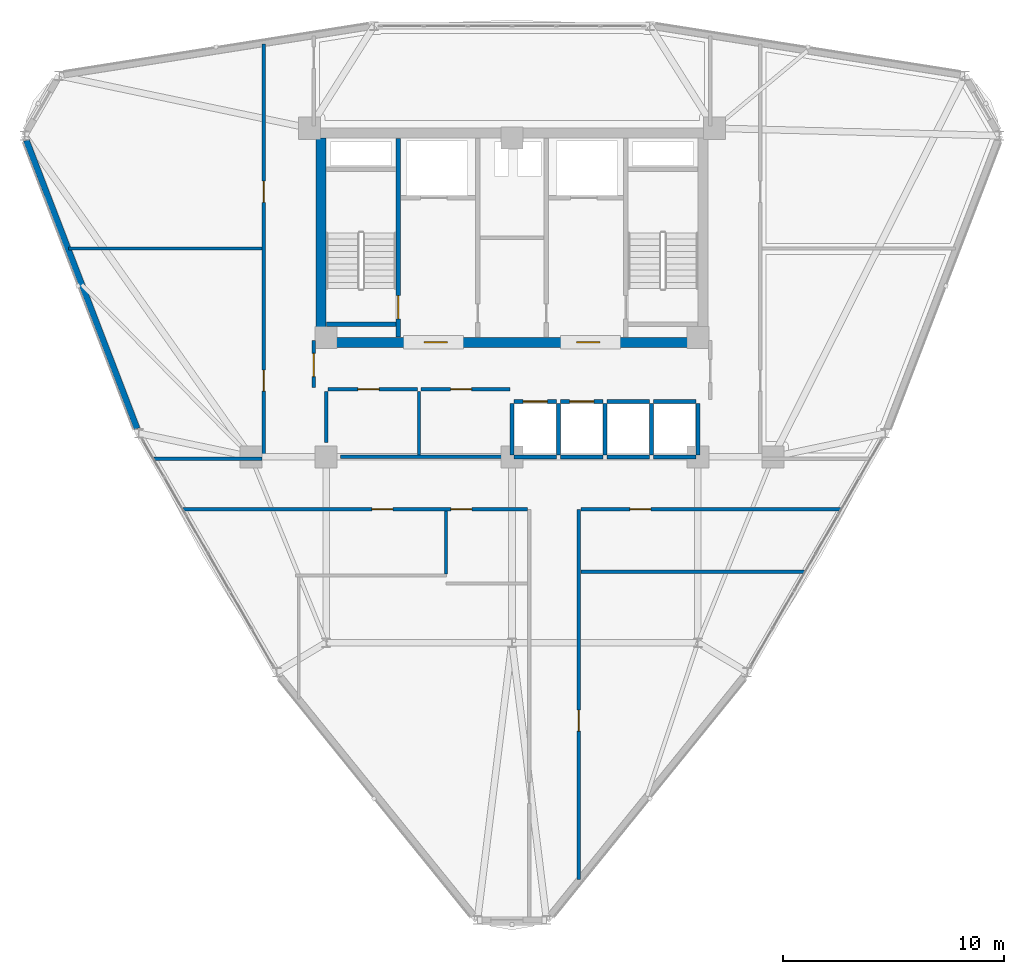
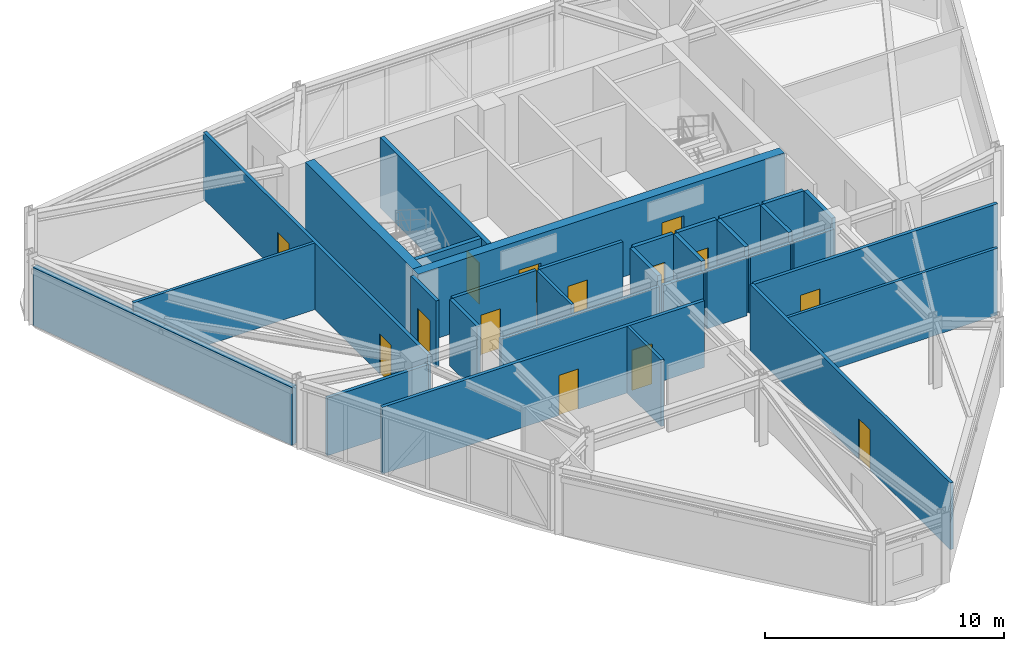
# One storey, part 10 of 14: 32 walls, 14 doors, 14 openings.
"""IFC4 building model written with IfcOpenShell, lengths in metres."""

from ifc_helpers import new_model, si_unit, derived_unit, direction, frame, frame_2d, origin, place, context, subcontext, project, spatial, rectangle, extrude, material, layer, layer_set, type_object, element, fill, save


model = new_model("IFC4")

# Units and contexts
model_context = context("Model", 3, precision=1e-05, world=origin(), true_north=direction((0.0, 1.0)))
body_context = subcontext(model_context, "Body", "Model", "MODEL_VIEW")
ifc_project = project(units=[si_unit("LENGTHUNIT", "METRE"), si_unit("AREAUNIT", "SQUARE_METRE"), si_unit("VOLUMEUNIT", "CUBIC_METRE"), si_unit("PLANEANGLEUNIT", "RADIAN"), si_unit("MASSUNIT", "GRAM", prefix="KILO"), derived_unit("THERMALTRANSMITTANCEUNIT", [(si_unit("POWERUNIT", "WATT"), 1), (si_unit("LENGTHUNIT", "METRE"), -2), (si_unit("THERMODYNAMICTEMPERATUREUNIT", "KELVIN"), -1)])], contexts=[model_context])

# Site, building, storey
site_placement = place(None, origin())
site = spatial("IfcSite", under=ifc_project, at=site_placement, CompositionType="ELEMENT")
building_placement = place(site_placement, origin())
building = spatial("IfcBuilding", under=site, at=building_placement, Name="Korsvarv Bourse and Concert Hall", CompositionType="ELEMENT")
storey_placement = place(building_placement, frame((0.0, 0.0, 190.199951171875)))
storey = spatial("IfcBuildingStorey", under=building, at=storey_placement, Name="L49", CompositionType="ELEMENT", Elevation=190.199951171875)

# Wall, opening, door
ifc_material_1 = material(Name="Concrete C50/60", Category="concrete")
ifc_layer_1 = layer(ifc_material_1, 0.3798828125)
ifc_layer_set_1 = layer_set([ifc_layer_1], Name="Concrete C50/60")
wall_type_1 = type_object("IfcWallType", Name="WL-CORE-380", PredefinedType="SHEAR", material=ifc_layer_set_1)
wall_1_placement = place(storey_placement, frame((30.860107421875, 37.81005859375, 0.0), z_axis=(0.0, 0.0, 1.0), x_axis=(0.0, 1.0, 0.0)))
wall_1 = element("IfcWall", 1, at=wall_1_placement, inside=storey, type_object=wall_type_1, Name="L49 stair shaft structural wall W-L49-ST1-E", PredefinedType="SHEAR", context=body_context, shape_type="SweptSolid", body=[
    extrude(rectangle(XDim=8.97998046875, YDim=0.199951171875, at=frame_2d((4.489990234375, 0.0))), origin(), (0.0, 0.0, 1.0), 3.60009765625),
])
opening_1_placement = place(wall_1_placement, frame((0.820068359375, 0.0, 0.0)))
opening_1 = element("IfcOpeningElement", 2, at=opening_1_placement, cuts=wall_1, Name="Opening D-01", PredefinedType="OPENING", context=body_context, shape_type="SweptSolid", body=[
    extrude(rectangle(XDim=1.050048828125, YDim=2.10009765625, at=frame_2d((0.52490234375, 1.050048828125))), frame((0.0, 0.10986328125, 0.0), z_axis=(0.0, -1.0, 0.0), x_axis=(1.0, 0.0, 0.0)), (0.0, 0.0, 1.0), 0.219970703125),
])
ifc_material_2 = material(Name="Steel S355 fire door", Category="steel")
door_type_1 = type_object("IfcDoorType", Name="DR-FD60", OperationType="NOTDEFINED", PredefinedType="DOOR", material=ifc_material_2)
door_1_placement = place(opening_1_placement, origin())
door_1 = element("IfcDoor", 3, at=door_1_placement, inside=storey, type_object=door_type_1, Name="L49 interior door DR-L49-ST1", OperationType="SINGLE_SWING_LEFT", OverallHeight=2.10009765625, OverallWidth=1.050048828125, PredefinedType="DOOR", context=body_context, shape_type="SweptSolid", body=[
    extrude(rectangle(XDim=1.050048828125, YDim=2.10009765625, at=frame_2d((0.52490234375, 1.050048828125))), frame((0.0, 0.02490234375, 0.0), z_axis=(0.0, -1.0, 0.0), x_axis=(1.0, 0.0, 0.0)), (0.0, 0.0, 1.0), 0.050048828125),
])
fill(opening_1, door_1)

# Wall
wall_2_placement = place(storey_placement, frame((27.610107421875, 38.39990234375, 0.0), z_axis=(0.0, 0.0, 1.0), x_axis=(1.0, 0.0, 0.0)))
element("IfcWall", 4, at=wall_2_placement, inside=storey, type_object=wall_type_1, Name="L49 stair shaft structural wall W-L49-ST1-S", PredefinedType="SHEAR", context=body_context, shape_type="SweptSolid", body=[
    extrude(rectangle(XDim=3.139892578125, YDim=0.199951171875, at=frame_2d((1.56982421875, 0.0))), origin(), (0.0, 0.0, 1.0), 3.60009765625),
])

# Wall, openings, doors
ifc_material_3 = material(Name="Concrete C55/67", Category="concrete")
ifc_layer_2 = layer(ifc_material_3, 0.449951171875)
ifc_layer_set_2 = layer_set([ifc_layer_2], Name="Concrete C55/67")
wall_type_2 = type_object("IfcWallType", Name="WL-CORE-450", PredefinedType="SHEAR", material=ifc_layer_set_2)
wall_3_placement = place(storey_placement, frame((27.14990234375, 37.574951171875, 0.0), z_axis=(0.0, 0.0, 1.0), x_axis=(1.0, 0.0, 0.0)))
wall_3 = element("IfcWall", 5, at=wall_3_placement, inside=storey, type_object=wall_type_2, Name="L49 South Core Shear Wall", PredefinedType="SHEAR", context=body_context, shape_type="SweptSolid", body=[
    extrude(rectangle(XDim=17.7001953125, YDim=0.449951171875, at=frame_2d((8.85009765625, 0.0))), origin(), (0.0, 0.0, 1.0), 3.60009765625),
])
opening_2_placement = place(wall_3_placement, frame((4.875, 0.0, 0.0)))
opening_2 = element("IfcOpeningElement", 6, at=opening_2_placement, cuts=wall_3, Name="Opening D-01", PredefinedType="OPENING", context=body_context, shape_type="SweptSolid", body=[
    extrude(rectangle(XDim=1.050048828125, YDim=2.10009765625, at=frame_2d((0.52490234375, 1.050048828125))), frame((0.0, 0.23486328125, 0.0), z_axis=(0.0, -1.0, 0.0), x_axis=(1.0, 0.0, 0.0)), (0.0, 0.0, 1.0), 0.469970703125),
])
opening_3_placement = place(wall_3_placement, frame((11.77490234375, 0.0, 0.0)))
opening_3 = element("IfcOpeningElement", 7, at=opening_3_placement, cuts=wall_3, Name="Opening D-01", PredefinedType="OPENING", context=body_context, shape_type="SweptSolid", body=[
    extrude(rectangle(XDim=1.050048828125, YDim=2.10009765625, at=frame_2d((0.52490234375, 1.050048828125))), frame((0.0, 0.23486328125, 0.0), z_axis=(0.0, -1.0, 0.0), x_axis=(1.0, 0.0, 0.0)), (0.0, 0.0, 1.0), 0.469970703125),
])
door_2_placement = place(opening_2_placement, frame((1.050048828125, 0.0, 0.0), z_axis=(0.0, 0.0, 1.0), x_axis=(-1.0, 0.0, 0.0)))
door_2 = element("IfcDoor", 8, at=door_2_placement, inside=storey, type_object=door_type_1, Name="L49 firefighting lobby fire door DR-L49-FFLW", OperationType="SINGLE_SWING_LEFT", OverallHeight=2.10009765625, OverallWidth=1.050048828125, PredefinedType="DOOR", context=body_context, shape_type="SweptSolid", body=[
    extrude(rectangle(XDim=1.050048828125, YDim=2.10009765625, at=frame_2d((0.52490234375, 1.050048828125))), frame((0.0, 0.02490234375, 0.0), z_axis=(0.0, -1.0, 0.0), x_axis=(1.0, 0.0, 0.0)), (0.0, 0.0, 1.0), 0.050048828125),
])
fill(opening_2, door_2)
door_3_placement = place(opening_3_placement, frame((1.050048828125, 0.0, 0.0), z_axis=(0.0, 0.0, 1.0), x_axis=(-1.0, 0.0, 0.0)))
door_3 = element("IfcDoor", 9, at=door_3_placement, inside=storey, type_object=door_type_1, Name="L49 firefighting lobby fire door DR-L49-FFLE", OperationType="SINGLE_SWING_RIGHT", OverallHeight=2.10009765625, OverallWidth=1.050048828125, PredefinedType="DOOR", context=body_context, shape_type="SweptSolid", body=[
    extrude(rectangle(XDim=1.050048828125, YDim=2.10009765625, at=frame_2d((0.52490234375, 1.050048828125))), frame((0.0, 0.02490234375, 0.0), z_axis=(0.0, -1.0, 0.0), x_axis=(1.0, 0.0, 0.0)), (0.0, 0.0, 1.0), 0.050048828125),
])
fill(opening_3, door_3)

# Walls
wall_4_placement = place(storey_placement, frame((27.375, 37.800048828125, 0.0), z_axis=(0.0, 0.0, 1.0), x_axis=(0.0, 1.0, 0.0)))
element("IfcWall", 10, at=wall_4_placement, inside=storey, type_object=wall_type_2, Name="L49 West Core Shear Wall", PredefinedType="SHEAR", context=body_context, shape_type="SweptSolid", body=[
    extrude(rectangle(XDim=9.0, YDim=0.449951171875, at=frame_2d((4.5, 0.0))), origin(), (0.0, 0.0, 1.0), 3.60009765625),
])
ifc_material_4 = material(Name="Precast concrete C45/55 with fluted terracotta pier", Category="concrete")
ifc_layer_3 = layer(ifc_material_4, 0.280029296875)
ifc_layer_set_3 = layer_set([ifc_layer_3], Name="Precast concrete C45/55 with fluted terracotta pier")
wall_type_3 = type_object("IfcWallType", Name="WL-EXT-TC2", PredefinedType="SOLIDWALL", material=ifc_layer_set_3)
wall_5_placement = place(storey_placement, frame((14.051513671875, 46.699462890625, 0.0), z_axis=(0.0, 0.0, 1.0), x_axis=(0.358703519473, -0.933451544065, 0.0)))
element("IfcWall", 11, at=wall_5_placement, inside=storey, type_object=wall_type_3, Name="L49 terracotta exterior wall EW-L49-B06", PredefinedType="SOLIDWALL", context=body_context, shape_type="SweptSolid", body=[
    extrude(rectangle(XDim=13.95263671875, YDim=0.280029296875, at=frame_2d((6.976318359375, 0.0))), origin(), (0.0, 0.0, 1.0), 2.949951171875),
])
ifc_material_5 = material(Name="Double-stud fire-rated acoustic partition", Category="gypsum")
ifc_layer_4 = layer(ifc_material_5, 0.159912109375)
ifc_layer_set_4 = layer_set([ifc_layer_4], Name="Double-stud fire-rated acoustic partition")
wall_type_4 = type_object("IfcWallType", Name="WL-INT-EI60", PredefinedType="PARTITIONING", material=ifc_layer_set_4)
wall_6_placement = place(storey_placement, frame((28.25, 32.39990234375, 0.0), z_axis=(0.0, 0.0, 1.0), x_axis=(1.0, 0.0, 0.0)))
element("IfcWall", 12, at=wall_6_placement, inside=storey, type_object=wall_type_4, Name="L49 interior partition wall W-L49-FRD-S", PredefinedType="PARTITIONING", context=body_context, shape_type="SweptSolid", body=[
    extrude(rectangle(XDim=7.64990234375, YDim=0.159912109375, at=frame_2d((3.824951171875, 0.0))), origin(), (0.0, 0.0, 1.0), 2.949951171875),
])
wall_7_placement = place(storey_placement, frame((27.60009765625, 33.050048828125, 0.0), z_axis=(0.0, 0.0, 1.0), x_axis=(0.0, 1.0, 0.0)))
element("IfcWall", 13, at=wall_7_placement, inside=storey, type_object=wall_type_4, Name="L49 interior partition wall W-L49-FRD-W", PredefinedType="PARTITIONING", context=body_context, shape_type="SweptSolid", body=[
    extrude(rectangle(XDim=2.31005859375, YDim=0.159912109375, at=frame_2d((1.155029296875, 0.0))), origin(), (0.0, 0.0, 1.0), 3.400146484375),
])

# Wall, opening, door
wall_8_placement = place(storey_placement, frame((27.68994140625, 35.449951171875, 0.0), z_axis=(0.0, 0.0, 1.0), x_axis=(1.0, 0.0, 0.0)))
wall_8 = element("IfcWall", 14, at=wall_8_placement, inside=storey, type_object=wall_type_4, Name="L49 interior partition wall W-L49-FRD-N1", PredefinedType="PARTITIONING", context=body_context, shape_type="SweptSolid", body=[
    extrude(rectangle(XDim=4.030029296875, YDim=0.159912109375, at=frame_2d((2.01513671875, 0.0))), origin(), (0.0, 0.0, 1.0), 3.400146484375),
])
opening_4_placement = place(wall_8_placement, frame((1.35009765625, 0.0, 0.0)))
opening_4 = element("IfcOpeningElement", 15, at=opening_4_placement, cuts=wall_8, Name="Opening D-03", PredefinedType="OPENING", context=body_context, shape_type="SweptSolid", body=[
    extrude(rectangle(XDim=0.949951171875, YDim=2.050048828125, at=frame_2d((0.47509765625, 1.02490234375))), frame((0.0, 0.08984375, 0.0), z_axis=(0.0, -1.0, 0.0), x_axis=(1.0, 0.0, 0.0)), (0.0, 0.0, 1.0), 0.179931640625),
])
ifc_material_6 = material(Name="Nordic oak acoustic office door", Category="wood")
door_type_2 = type_object("IfcDoorType", Name="DR-INT-1", OperationType="NOTDEFINED", PredefinedType="DOOR", material=ifc_material_6)
door_4_placement = place(opening_4_placement, origin())
door_4 = element("IfcDoor", 16, at=door_4_placement, inside=storey, type_object=door_type_2, Name="L49 interior door DR-L49-FRDN1", OperationType="SINGLE_SWING_LEFT", OverallHeight=2.050048828125, OverallWidth=0.949951171875, PredefinedType="DOOR", context=body_context, shape_type="SweptSolid", body=[
    extrude(rectangle(XDim=0.949951171875, YDim=2.050048828125, at=frame_2d((0.47509765625, 1.02490234375))), frame((0.0, 0.02490234375, 0.0), z_axis=(0.0, -1.0, 0.0), x_axis=(1.0, 0.0, 0.0)), (0.0, 0.0, 1.0), 0.050048828125),
])
fill(opening_4, door_4)

wall_9_placement = place(storey_placement, frame((31.8798828125, 35.449951171875, 0.0), z_axis=(0.0, 0.0, 1.0), x_axis=(1.0, 0.0, 0.0)))
wall_9 = element("IfcWall", 17, at=wall_9_placement, inside=storey, type_object=wall_type_4, Name="L49 interior partition wall W-L49-FRD-N2", PredefinedType="PARTITIONING", context=body_context, shape_type="SweptSolid", body=[
    extrude(rectangle(XDim=4.02001953125, YDim=0.159912109375, at=frame_2d((2.010009765625, 0.0))), origin(), (0.0, 0.0, 1.0), 3.400146484375),
])
opening_5_placement = place(wall_9_placement, frame((1.35009765625, 0.0, 0.0)))
opening_5 = element("IfcOpeningElement", 18, at=opening_5_placement, cuts=wall_9, Name="Opening D-03", PredefinedType="OPENING", context=body_context, shape_type="SweptSolid", body=[
    extrude(rectangle(XDim=0.949951171875, YDim=2.050048828125, at=frame_2d((0.47509765625, 1.02490234375))), frame((0.0, 0.08984375, 0.0), z_axis=(0.0, -1.0, 0.0), x_axis=(1.0, 0.0, 0.0)), (0.0, 0.0, 1.0), 0.179931640625),
])
door_5_placement = place(opening_5_placement, origin())
door_5 = element("IfcDoor", 19, at=door_5_placement, inside=storey, type_object=door_type_2, Name="L49 interior door DR-L49-FRDN2", OperationType="SINGLE_SWING_RIGHT", OverallHeight=2.050048828125, OverallWidth=0.949951171875, PredefinedType="DOOR", context=body_context, shape_type="SweptSolid", body=[
    extrude(rectangle(XDim=0.949951171875, YDim=2.050048828125, at=frame_2d((0.47509765625, 1.02490234375))), frame((0.0, 0.02490234375, 0.0), z_axis=(0.0, -1.0, 0.0), x_axis=(1.0, 0.0, 0.0)), (0.0, 0.0, 1.0), 0.050048828125),
])
fill(opening_5, door_5)

wall_10_placement = place(storey_placement, frame((27.0400390625, 35.5400390625, 0.0), z_axis=(0.0, 0.0, 1.0), x_axis=(0.0, 1.0, 0.0)))
wall_10 = element("IfcWall", 20, at=wall_10_placement, inside=storey, type_object=wall_type_4, Name="L49 interior partition wall W-L49-LOB-WL", PredefinedType="PARTITIONING", context=body_context, shape_type="SweptSolid", body=[
    extrude(rectangle(XDim=2.10986328125, YDim=0.159912109375, at=frame_2d((1.054931640625, 0.0))), origin(), (0.0, 0.0, 1.0), 3.400146484375),
])
opening_6_placement = place(wall_10_placement, frame((0.47998046875, 0.0, 0.0)))
opening_6 = element("IfcOpeningElement", 21, at=opening_6_placement, cuts=wall_10, Name="Opening D-01", PredefinedType="OPENING", context=body_context, shape_type="SweptSolid", body=[
    extrude(rectangle(XDim=1.050048828125, YDim=2.10009765625, at=frame_2d((0.52490234375, 1.050048828125))), frame((0.0, 0.08984375, 0.0), z_axis=(0.0, -1.0, 0.0), x_axis=(1.0, 0.0, 0.0)), (0.0, 0.0, 1.0), 0.179931640625),
])
door_6_placement = place(opening_6_placement, frame((1.050048828125, 0.0, 0.0), z_axis=(0.0, 0.0, 1.0), x_axis=(-1.0, 0.0, 0.0)))
door_6 = element("IfcDoor", 22, at=door_6_placement, inside=storey, type_object=door_type_1, Name="L49 interior door DR-L49-LOBW", OperationType="SINGLE_SWING_LEFT", OverallHeight=2.10009765625, OverallWidth=1.050048828125, PredefinedType="DOOR", context=body_context, shape_type="SweptSolid", body=[
    extrude(rectangle(XDim=1.050048828125, YDim=2.10009765625, at=frame_2d((0.52490234375, 1.050048828125))), frame((0.0, 0.02490234375, 0.0), z_axis=(0.0, -1.0, 0.0), x_axis=(1.0, 0.0, 0.0)), (0.0, 0.0, 1.0), 0.050048828125),
])
fill(opening_6, door_6)

# Wall, openings, doors
wall_11_placement = place(storey_placement, frame((24.77490234375, 32.31005859375, 0.0), z_axis=(0.0, 0.0, 1.0), x_axis=(0.0, 1.0, 0.0)))
wall_11 = element("IfcWall", 23, at=wall_11_placement, inside=storey, type_object=wall_type_4, Name="L49 interior partition wall W-L49-TCOR-02", PredefinedType="PARTITIONING", context=body_context, shape_type="SweptSolid", body=[
    extrude(rectangle(XDim=18.7529296875, YDim=0.159912109375, at=frame_2d((9.37646484375, 0.0))), origin(), (0.0, 0.0, 1.0), 3.400146484375),
])
opening_7_placement = place(wall_11_placement, frame((3.060302734375, 0.0, 0.0)))
opening_7 = element("IfcOpeningElement", 24, at=opening_7_placement, cuts=wall_11, Name="Opening D-02", PredefinedType="OPENING", context=body_context, shape_type="SweptSolid", body=[
    extrude(rectangle(XDim=0.949951171875, YDim=2.050048828125, at=frame_2d((0.47509765625, 1.02490234375))), frame((0.0, 0.08984375, 0.0), z_axis=(0.0, -1.0, 0.0), x_axis=(1.0, 0.0, 0.0)), (0.0, 0.0, 1.0), 0.179931640625),
])
opening_8_placement = place(wall_11_placement, frame((11.593017578125, 0.0, 0.0)))
opening_8 = element("IfcOpeningElement", 25, at=opening_8_placement, cuts=wall_11, Name="Opening D-02", PredefinedType="OPENING", context=body_context, shape_type="SweptSolid", body=[
    extrude(rectangle(XDim=0.949951171875, YDim=2.050048828125, at=frame_2d((0.47509765625, 1.02490234375))), frame((0.0, 0.08984375, 0.0), z_axis=(0.0, -1.0, 0.0), x_axis=(1.0, 0.0, 0.0)), (0.0, 0.0, 1.0), 0.179931640625),
])
ifc_material_7 = material(Name="Timber and steel acoustic fire door", Category="wood")
door_type_3 = type_object("IfcDoorType", Name="DR-FD30", OperationType="NOTDEFINED", PredefinedType="DOOR", material=ifc_material_7)
door_7_placement = place(opening_7_placement, origin())
door_7 = element("IfcDoor", 26, at=door_7_placement, inside=storey, type_object=door_type_3, Name="L49 interior door DR-L49-TCOR-FN68", OperationType="SINGLE_SWING_LEFT", OverallHeight=2.050048828125, OverallWidth=0.949951171875, PredefinedType="DOOR", context=body_context, shape_type="SweptSolid", body=[
    extrude(rectangle(XDim=0.949951171875, YDim=2.050048828125, at=frame_2d((0.47509765625, 1.02490234375))), frame((0.0, 0.02490234375, 0.0), z_axis=(0.0, -1.0, 0.0), x_axis=(1.0, 0.0, 0.0)), (0.0, 0.0, 1.0), 0.050048828125),
])
fill(opening_7, door_7)
door_8_placement = place(opening_8_placement, origin())
door_8 = element("IfcDoor", 27, at=door_8_placement, inside=storey, type_object=door_type_3, Name="L49 interior door DR-L49-TCOR-FN79", OperationType="SINGLE_SWING_RIGHT", OverallHeight=2.050048828125, OverallWidth=0.949951171875, PredefinedType="DOOR", context=body_context, shape_type="SweptSolid", body=[
    extrude(rectangle(XDim=0.949951171875, YDim=2.050048828125, at=frame_2d((0.47509765625, 1.02490234375))), frame((0.0, 0.02490234375, 0.0), z_axis=(0.0, -1.0, 0.0), x_axis=(1.0, 0.0, 0.0)), (0.0, 0.0, 1.0), 0.050048828125),
])
fill(opening_8, door_8)

# Wall, opening, door
wall_12_placement = place(storey_placement, frame((39.02490234375, 13.289794921875, 0.0), z_axis=(0.0, 0.0, 1.0), x_axis=(0.0, 1.0, 0.0)))
wall_12 = element("IfcWall", 28, at=wall_12_placement, inside=storey, type_object=wall_type_4, Name="L49 interior partition wall W-L49-TCOR-04", PredefinedType="PARTITIONING", context=body_context, shape_type="SweptSolid", body=[
    extrude(rectangle(XDim=16.740234375, YDim=0.159912109375, at=frame_2d((8.3701171875, 0.0))), origin(), (0.0, 0.0, 1.0), 3.400146484375),
])
opening_9_placement = place(wall_12_placement, frame((6.71630859375, 0.0, 0.0)))
opening_9 = element("IfcOpeningElement", 29, at=opening_9_placement, cuts=wall_12, Name="Opening D-02", PredefinedType="OPENING", context=body_context, shape_type="SweptSolid", body=[
    extrude(rectangle(XDim=0.949951171875, YDim=2.050048828125, at=frame_2d((0.47509765625, 1.02490234375))), frame((0.0, 0.08984375, 0.0), z_axis=(0.0, -1.0, 0.0), x_axis=(1.0, 0.0, 0.0)), (0.0, 0.0, 1.0), 0.179931640625),
])
door_9_placement = place(opening_9_placement, origin())
door_9 = element("IfcDoor", 30, at=door_9_placement, inside=storey, type_object=door_type_3, Name="L49 interior door DR-L49-TCOR-FN43", OperationType="SINGLE_SWING_RIGHT", OverallHeight=2.050048828125, OverallWidth=0.949951171875, PredefinedType="DOOR", context=body_context, shape_type="SweptSolid", body=[
    extrude(rectangle(XDim=0.949951171875, YDim=2.050048828125, at=frame_2d((0.47509765625, 1.02490234375))), frame((0.0, 0.02490234375, 0.0), z_axis=(0.0, -1.0, 0.0), x_axis=(1.0, 0.0, 0.0)), (0.0, 0.0, 1.0), 0.050048828125),
])
fill(opening_9, door_9)

# Wall, openings, doors
wall_13_placement = place(storey_placement, frame((21.142578125, 30.02490234375, 0.0), z_axis=(0.0, 0.0, 1.0), x_axis=(1.0, 0.0, 0.0)))
wall_13 = element("IfcWall", 31, at=wall_13_placement, inside=storey, type_object=wall_type_4, Name="L49 interior partition wall W-L49-TCOR-05", PredefinedType="PARTITIONING", context=body_context, shape_type="SweptSolid", body=[
    extrude(rectangle(XDim=15.550537109375, YDim=0.159912109375, at=frame_2d((7.775390625, 0.0))), origin(), (0.0, 0.0, 1.0), 3.400146484375),
])
opening_10_placement = place(wall_13_placement, frame((12.097412109375, 0.0, 0.0)))
opening_10 = element("IfcOpeningElement", 32, at=opening_10_placement, cuts=wall_13, Name="Opening D-02", PredefinedType="OPENING", context=body_context, shape_type="SweptSolid", body=[
    extrude(rectangle(XDim=0.949951171875, YDim=2.050048828125, at=frame_2d((0.47509765625, 1.02490234375))), frame((0.0, 0.08984375, 0.0), z_axis=(0.0, -1.0, 0.0), x_axis=(1.0, 0.0, 0.0)), (0.0, 0.0, 1.0), 0.179931640625),
])
opening_11_placement = place(wall_13_placement, frame((8.521484375, 0.0, 0.0)))
opening_11 = element("IfcOpeningElement", 33, at=opening_11_placement, cuts=wall_13, Name="Opening D-02", PredefinedType="OPENING", context=body_context, shape_type="SweptSolid", body=[
    extrude(rectangle(XDim=0.949951171875, YDim=2.050048828125, at=frame_2d((0.47509765625, 1.02490234375))), frame((0.0, 0.08984375, 0.0), z_axis=(0.0, -1.0, 0.0), x_axis=(1.0, 0.0, 0.0)), (0.0, 0.0, 1.0), 0.179931640625),
])
door_10_placement = place(opening_10_placement, origin())
door_10 = element("IfcDoor", 34, at=door_10_placement, inside=storey, type_object=door_type_3, Name="L49 interior door DR-L49-TCOR-RWC", OperationType="SINGLE_SWING_LEFT", OverallHeight=2.050048828125, OverallWidth=0.949951171875, PredefinedType="DOOR", context=body_context, shape_type="SweptSolid", body=[
    extrude(rectangle(XDim=0.949951171875, YDim=2.050048828125, at=frame_2d((0.47509765625, 1.02490234375))), frame((0.0, 0.02490234375, 0.0), z_axis=(0.0, -1.0, 0.0), x_axis=(1.0, 0.0, 0.0)), (0.0, 0.0, 1.0), 0.050048828125),
])
fill(opening_10, door_10)
door_11_placement = place(opening_11_placement, origin())
door_11 = element("IfcDoor", 35, at=door_11_placement, inside=storey, type_object=door_type_3, Name="L49 interior door DR-L49-TCOR-FN16", OperationType="SINGLE_SWING_RIGHT", OverallHeight=2.050048828125, OverallWidth=0.949951171875, PredefinedType="DOOR", context=body_context, shape_type="SweptSolid", body=[
    extrude(rectangle(XDim=0.949951171875, YDim=2.050048828125, at=frame_2d((0.47509765625, 1.02490234375))), frame((0.0, 0.02490234375, 0.0), z_axis=(0.0, -1.0, 0.0), x_axis=(1.0, 0.0, 0.0)), (0.0, 0.0, 1.0), 0.050048828125),
])
fill(opening_11, door_11)

# Wall, opening, door
wall_14_placement = place(storey_placement, frame((39.10693359375, 30.02490234375, 0.0), z_axis=(0.0, 0.0, 1.0), x_axis=(1.0, 0.0, 0.0)))
wall_14 = element("IfcWall", 36, at=wall_14_placement, inside=storey, type_object=wall_type_4, Name="L49 interior partition wall W-L49-TCOR-06", PredefinedType="PARTITIONING", context=body_context, shape_type="SweptSolid", body=[
    extrude(rectangle(XDim=11.75048828125, YDim=0.159912109375, at=frame_2d((5.875244140625, 0.0))), origin(), (0.0, 0.0, 1.0), 3.400146484375),
])
opening_12_placement = place(wall_14_placement, frame((2.2197265625, 0.0, 0.0)))
opening_12 = element("IfcOpeningElement", 37, at=opening_12_placement, cuts=wall_14, Name="Opening D-02", PredefinedType="OPENING", context=body_context, shape_type="SweptSolid", body=[
    extrude(rectangle(XDim=0.949951171875, YDim=2.050048828125, at=frame_2d((0.47509765625, 1.02490234375))), frame((0.0, 0.08984375, 0.0), z_axis=(0.0, -1.0, 0.0), x_axis=(1.0, 0.0, 0.0)), (0.0, 0.0, 1.0), 0.179931640625),
])
door_12_placement = place(opening_12_placement, origin())
door_12 = element("IfcDoor", 38, at=door_12_placement, inside=storey, type_object=door_type_3, Name="L49 interior door DR-L49-TCOR-FN24", OperationType="SINGLE_SWING_LEFT", OverallHeight=2.050048828125, OverallWidth=0.949951171875, PredefinedType="DOOR", context=body_context, shape_type="SweptSolid", body=[
    extrude(rectangle(XDim=0.949951171875, YDim=2.050048828125, at=frame_2d((0.47509765625, 1.02490234375))), frame((0.0, 0.02490234375, 0.0), z_axis=(0.0, -1.0, 0.0), x_axis=(1.0, 0.0, 0.0)), (0.0, 0.0, 1.0), 0.050048828125),
])
fill(opening_12, door_12)

# Wall
wall_15_placement = place(storey_placement, frame((19.8203125, 32.31494140625, 0.0), z_axis=(0.0, 0.0, 1.0), x_axis=(1.0, 0.0, 0.0)))
element("IfcWall", 39, at=wall_15_placement, inside=storey, type_object=wall_type_4, Name="L49 interior partition wall W-L49-TCOR-08", PredefinedType="PARTITIONING", context=body_context, shape_type="SweptSolid", body=[
    extrude(rectangle(XDim=4.872802734375, YDim=0.159912109375, at=frame_2d((2.4365234375, 0.0))), origin(), (0.0, 0.0, 1.0), 2.949951171875),
])

# Wall, opening, door
ifc_material_8 = material(Name="Gypsum-clad autoclaved concrete shaft wall C30/37", Category="concrete")
ifc_layer_5 = layer(ifc_material_8, 0.179931640625)
ifc_layer_set_5 = layer_set([ifc_layer_5], Name="Gypsum-clad autoclaved concrete shaft wall C30/37")
wall_type_5 = type_object("IfcWallType", Name="WL-INT-EI90", PredefinedType="PARTITIONING", material=ifc_layer_set_5)
wall_16_placement = place(storey_placement, frame((36.090087890625, 34.89990234375, 0.0), z_axis=(0.0, 0.0, 1.0), x_axis=(1.0, 0.0, 0.0)))
wall_16 = element("IfcWall", 40, at=wall_16_placement, inside=storey, type_object=wall_type_5, Name="L49 interior partition wall W-L49-SHFN-PH1", PredefinedType="PARTITIONING", context=body_context, shape_type="SweptSolid", body=[
    extrude(rectangle(XDim=1.919921875, YDim=0.179931640625, at=frame_2d((0.9599609375, 0.0))), origin(), (0.0, 0.0, 1.0), 3.400146484375),
])
opening_13_placement = place(wall_16_placement, frame((0.409912109375, 0.0, 0.0)))
opening_13 = element("IfcOpeningElement", 41, at=opening_13_placement, cuts=wall_16, Name="Opening LD-2", PredefinedType="OPENING", context=body_context, shape_type="SweptSolid", body=[
    extrude(rectangle(XDim=1.10009765625, YDim=2.10009765625, at=frame_2d((0.550048828125, 1.050048828125))), frame((0.0, 0.10009765625, 0.0), z_axis=(0.0, -1.0, 0.0), x_axis=(1.0, 0.0, 0.0)), (0.0, 0.0, 1.0), 0.199951171875),
])
ifc_material_9 = material(Name="Brushed stainless Steel S355 lift landing door", Category="steel")
door_type_4 = type_object("IfcDoorType", Name="DR-LIFT-P", OperationType="DOUBLE_DOOR_SLIDING", PredefinedType="DOOR", material=ifc_material_9)
door_13_placement = place(opening_13_placement, origin())
door_13 = element("IfcDoor", 42, at=door_13_placement, inside=storey, type_object=door_type_4, Name="L49 lift sliding landing door LD-L49-PH1", OperationType="DOUBLE_DOOR_SLIDING", OverallHeight=2.10009765625, OverallWidth=1.10009765625, PredefinedType="DOOR", context=body_context, shape_type="SweptSolid", body=[
    extrude(rectangle(XDim=1.10009765625, YDim=2.10009765625, at=frame_2d((0.550048828125, 1.050048828125))), frame((0.0, 0.02490234375, 0.0), z_axis=(0.0, -1.0, 0.0), x_axis=(1.0, 0.0, 0.0)), (0.0, 0.0, 1.0), 0.050048828125),
])
fill(opening_13, door_13)

# Walls
wall_17_placement = place(storey_placement, frame((36.090087890625, 32.39990234375, 0.0), z_axis=(0.0, 0.0, 1.0), x_axis=(1.0, 0.0, 0.0)))
element("IfcWall", 43, at=wall_17_placement, inside=storey, type_object=wall_type_5, Name="L49 interior partition wall W-L49-SHFS-PH1", PredefinedType="PARTITIONING", context=body_context, shape_type="SweptSolid", body=[
    extrude(rectangle(XDim=1.919921875, YDim=0.179931640625, at=frame_2d((0.9599609375, 0.0))), origin(), (0.0, 0.0, 1.0), 2.949951171875),
])
wall_18_placement = place(storey_placement, frame((36.0, 32.489990234375, 0.0), z_axis=(0.0, 0.0, 1.0), x_axis=(0.0, 1.0, 0.0)))
element("IfcWall", 44, at=wall_18_placement, inside=storey, type_object=wall_type_5, Name="L49 interior partition wall W-L49-SHFW-PH1", PredefinedType="PARTITIONING", context=body_context, shape_type="SweptSolid", body=[
    extrude(rectangle(XDim=2.320068359375, YDim=0.179931640625, at=frame_2d((1.16015625, 0.0))), origin(), (0.0, 0.0, 1.0), 3.400146484375),
])

# Wall, opening, door
wall_19_placement = place(storey_placement, frame((38.18994140625, 34.89990234375, 0.0), z_axis=(0.0, 0.0, 1.0), x_axis=(1.0, 0.0, 0.0)))
wall_19 = element("IfcWall", 45, at=wall_19_placement, inside=storey, type_object=wall_type_5, Name="L49 interior partition wall W-L49-SHFN-PH2", PredefinedType="PARTITIONING", context=body_context, shape_type="SweptSolid", body=[
    extrude(rectangle(XDim=1.920166015625, YDim=0.179931640625, at=frame_2d((0.9599609375, 0.0))), origin(), (0.0, 0.0, 1.0), 3.400146484375),
])
opening_14_placement = place(wall_19_placement, frame((0.409912109375, 0.0, 0.0)))
opening_14 = element("IfcOpeningElement", 46, at=opening_14_placement, cuts=wall_19, Name="Opening LD-2", PredefinedType="OPENING", context=body_context, shape_type="SweptSolid", body=[
    extrude(rectangle(XDim=1.10009765625, YDim=2.10009765625, at=frame_2d((0.550048828125, 1.050048828125))), frame((0.0, 0.10009765625, 0.0), z_axis=(0.0, -1.0, 0.0), x_axis=(1.0, 0.0, 0.0)), (0.0, 0.0, 1.0), 0.199951171875),
])
door_14_placement = place(opening_14_placement, origin())
door_14 = element("IfcDoor", 47, at=door_14_placement, inside=storey, type_object=door_type_4, Name="L49 lift sliding landing door LD-L49-PH2", OperationType="DOUBLE_DOOR_SLIDING", OverallHeight=2.10009765625, OverallWidth=1.10009765625, PredefinedType="DOOR", context=body_context, shape_type="SweptSolid", body=[
    extrude(rectangle(XDim=1.10009765625, YDim=2.10009765625, at=frame_2d((0.550048828125, 1.050048828125))), frame((0.0, 0.02490234375, 0.0), z_axis=(0.0, -1.0, 0.0), x_axis=(1.0, 0.0, 0.0)), (0.0, 0.0, 1.0), 0.050048828125),
])
fill(opening_14, door_14)

# Walls
wall_20_placement = place(storey_placement, frame((38.18994140625, 32.39990234375, 0.0), z_axis=(0.0, 0.0, 1.0), x_axis=(1.0, 0.0, 0.0)))
element("IfcWall", 48, at=wall_20_placement, inside=storey, type_object=wall_type_5, Name="L49 interior partition wall W-L49-SHFS-PH2", PredefinedType="PARTITIONING", context=body_context, shape_type="SweptSolid", body=[
    extrude(rectangle(XDim=1.920166015625, YDim=0.179931640625, at=frame_2d((0.9599609375, 0.0))), origin(), (0.0, 0.0, 1.0), 2.949951171875),
])
wall_21_placement = place(storey_placement, frame((38.10009765625, 32.489990234375, 0.0), z_axis=(0.0, 0.0, 1.0), x_axis=(0.0, 1.0, 0.0)))
element("IfcWall", 49, at=wall_21_placement, inside=storey, type_object=wall_type_5, Name="L49 interior partition wall W-L49-SHFW-PH2", PredefinedType="PARTITIONING", context=body_context, shape_type="SweptSolid", body=[
    extrude(rectangle(XDim=2.320068359375, YDim=0.179931640625, at=frame_2d((1.16015625, 0.0))), origin(), (0.0, 0.0, 1.0), 3.400146484375),
])
wall_22_placement = place(storey_placement, frame((40.2900390625, 34.89990234375, 0.0), z_axis=(0.0, 0.0, 1.0), x_axis=(1.0, 0.0, 0.0)))
element("IfcWall", 50, at=wall_22_placement, inside=storey, type_object=wall_type_5, Name="L49 interior partition wall W-L49-SHFN-PO1", PredefinedType="PARTITIONING", context=body_context, shape_type="SweptSolid", body=[
    extrude(rectangle(XDim=1.919921875, YDim=0.179931640625, at=frame_2d((0.9599609375, 0.0))), origin(), (0.0, 0.0, 1.0), 3.400146484375),
])
wall_23_placement = place(storey_placement, frame((40.2900390625, 32.39990234375, 0.0), z_axis=(0.0, 0.0, 1.0), x_axis=(1.0, 0.0, 0.0)))
element("IfcWall", 51, at=wall_23_placement, inside=storey, type_object=wall_type_5, Name="L49 interior partition wall W-L49-SHFS-PO1", PredefinedType="PARTITIONING", context=body_context, shape_type="SweptSolid", body=[
    extrude(rectangle(XDim=1.919921875, YDim=0.179931640625, at=frame_2d((0.9599609375, 0.0))), origin(), (0.0, 0.0, 1.0), 2.949951171875),
])
wall_24_placement = place(storey_placement, frame((40.199951171875, 32.489990234375, 0.0), z_axis=(0.0, 0.0, 1.0), x_axis=(0.0, 1.0, 0.0)))
element("IfcWall", 52, at=wall_24_placement, inside=storey, type_object=wall_type_5, Name="L49 interior partition wall W-L49-SHFW-PO1", PredefinedType="PARTITIONING", context=body_context, shape_type="SweptSolid", body=[
    extrude(rectangle(XDim=2.320068359375, YDim=0.179931640625, at=frame_2d((1.16015625, 0.0))), origin(), (0.0, 0.0, 1.0), 3.400146484375),
])
wall_25_placement = place(storey_placement, frame((42.389892578125, 34.89990234375, 0.0), z_axis=(0.0, 0.0, 1.0), x_axis=(1.0, 0.0, 0.0)))
element("IfcWall", 53, at=wall_25_placement, inside=storey, type_object=wall_type_5, Name="L49 interior partition wall W-L49-SHFN-PO2", PredefinedType="PARTITIONING", context=body_context, shape_type="SweptSolid", body=[
    extrude(rectangle(XDim=1.920166015625, YDim=0.179931640625, at=frame_2d((0.9599609375, 0.0))), origin(), (0.0, 0.0, 1.0), 3.400146484375),
])
wall_26_placement = place(storey_placement, frame((42.389892578125, 32.39990234375, 0.0), z_axis=(0.0, 0.0, 1.0), x_axis=(1.0, 0.0, 0.0)))
element("IfcWall", 54, at=wall_26_placement, inside=storey, type_object=wall_type_5, Name="L49 interior partition wall W-L49-SHFS-PO2", PredefinedType="PARTITIONING", context=body_context, shape_type="SweptSolid", body=[
    extrude(rectangle(XDim=1.920166015625, YDim=0.179931640625, at=frame_2d((0.9599609375, 0.0))), origin(), (0.0, 0.0, 1.0), 2.949951171875),
])
for number, where, z_axis, x_axis, name in (
    (55, (42.300048828125, 32.489990234375, 0.0), (0.0, 0.0, 1.0), (0.0, 1.0, 0.0), "L49 interior partition wall W-L49-SHFW-PO2"),
    (56, (44.39990234375, 32.489990234375, 0.0), (0.0, 0.0, 1.0), (0.0, 1.0, 0.0), "L49 interior partition wall W-L49-SHFE-END"),
):
    element("IfcWall", number, at=place(storey_placement, frame(where, z_axis=z_axis, x_axis=x_axis)), inside=storey, type_object=wall_type_5, Name=name, PredefinedType="PARTITIONING", context=body_context, shape_type="SweptSolid", body=[
        extrude(rectangle(XDim=2.320068359375, YDim=0.179931640625, at=frame_2d((1.16015625, 0.0))), origin(), (0.0, 0.0, 1.0), 3.400146484375),
    ])
ifc_material_10 = material(Name="Insulated steel-stud office acoustic partition", Category="gypsum")
ifc_layer_6 = layer(ifc_material_10, 0.139892578125)
ifc_layer_set_6 = layer_set([ifc_layer_6], Name="Insulated steel-stud office acoustic partition")
wall_type_6 = type_object("IfcWallType", Name="WL-INT-P1", PredefinedType="PARTITIONING", material=ifc_layer_set_6)
wall_27_placement = place(storey_placement, frame((31.800048828125, 32.489990234375, 0.0), z_axis=(0.0, 0.0, 1.0), x_axis=(0.0, 1.0, 0.0)))
element("IfcWall", 57, at=wall_27_placement, inside=storey, type_object=wall_type_6, Name="L49 interior partition wall W-L49-FRD-V", PredefinedType="PARTITIONING", context=body_context, shape_type="SweptSolid", body=[
    extrude(rectangle(XDim=2.8701171875, YDim=0.139892578125, at=frame_2d((1.43505859375, 0.0))), origin(), (0.0, 0.0, 1.0), 3.400146484375),
])
wall_28_placement = place(storey_placement, frame((39.10693359375, 27.205078125, 0.0), z_axis=(0.0, 0.0, 1.0), x_axis=(1.0, 0.0, 0.0)))
element("IfcWall", 58, at=wall_28_placement, inside=storey, type_object=wall_type_6, Name="L49 interior partition wall W-L49-TCOR-11", PredefinedType="PARTITIONING", context=body_context, shape_type="SweptSolid", body=[
    extrude(rectangle(XDim=10.122314453125, YDim=0.139892578125, at=frame_2d((5.06103515625, 0.0))), origin(), (0.0, 0.0, 1.0), 3.400146484375),
])
wall_29_placement = place(storey_placement, frame((15.952392578125, 41.804931640625, 0.0), z_axis=(0.0, 0.0, 1.0), x_axis=(1.0, 0.0, 0.0)))
element("IfcWall", 59, at=wall_29_placement, inside=storey, type_object=wall_type_6, Name="L49 interior partition wall W-L49-TCOR-12", PredefinedType="PARTITIONING", context=body_context, shape_type="SweptSolid", body=[
    extrude(rectangle(XDim=8.74072265625, YDim=0.139892578125, at=frame_2d((4.370361328125, 0.0))), origin(), (0.0, 0.0, 1.0), 3.400146484375),
])
wall_30_placement = place(storey_placement, frame((33.02490234375, 27.10693359375, 0.0), z_axis=(0.0, 0.0, 1.0), x_axis=(0.0, 1.0, 0.0)))
element("IfcWall", 60, at=wall_30_placement, inside=storey, type_object=wall_type_6, Name="L49 interior partition wall W-L49-TCOR-17", PredefinedType="PARTITIONING", context=body_context, shape_type="SweptSolid", body=[
    extrude(rectangle(XDim=2.836181640625, YDim=0.139892578125, at=frame_2d((1.41796875, 0.0))), origin(), (0.0, 0.0, 1.0), 3.400146484375),
])

save(model, "model.ifc")
